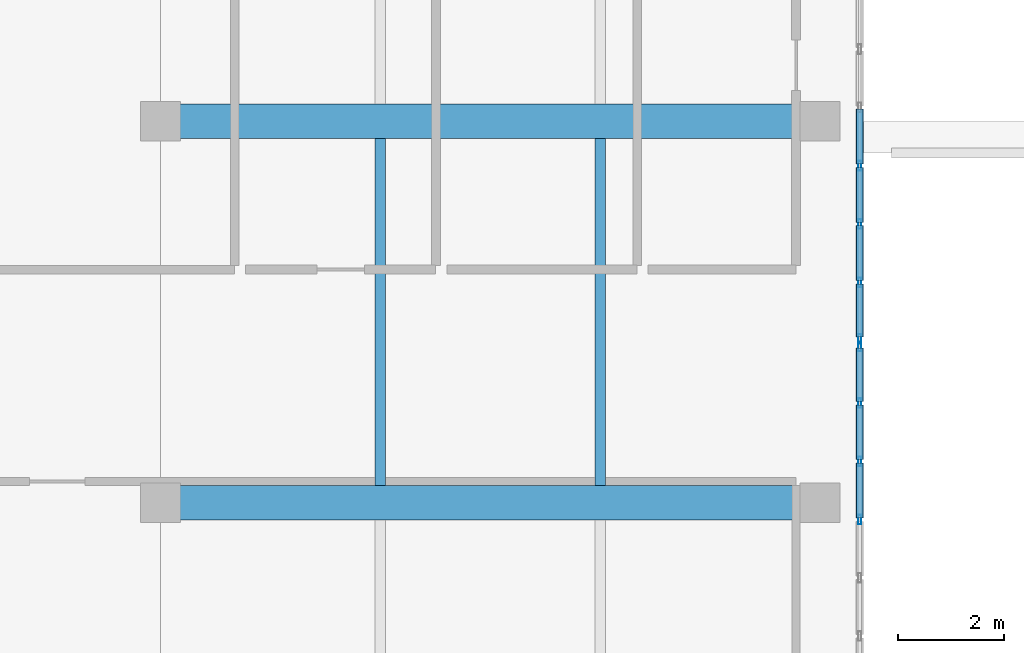
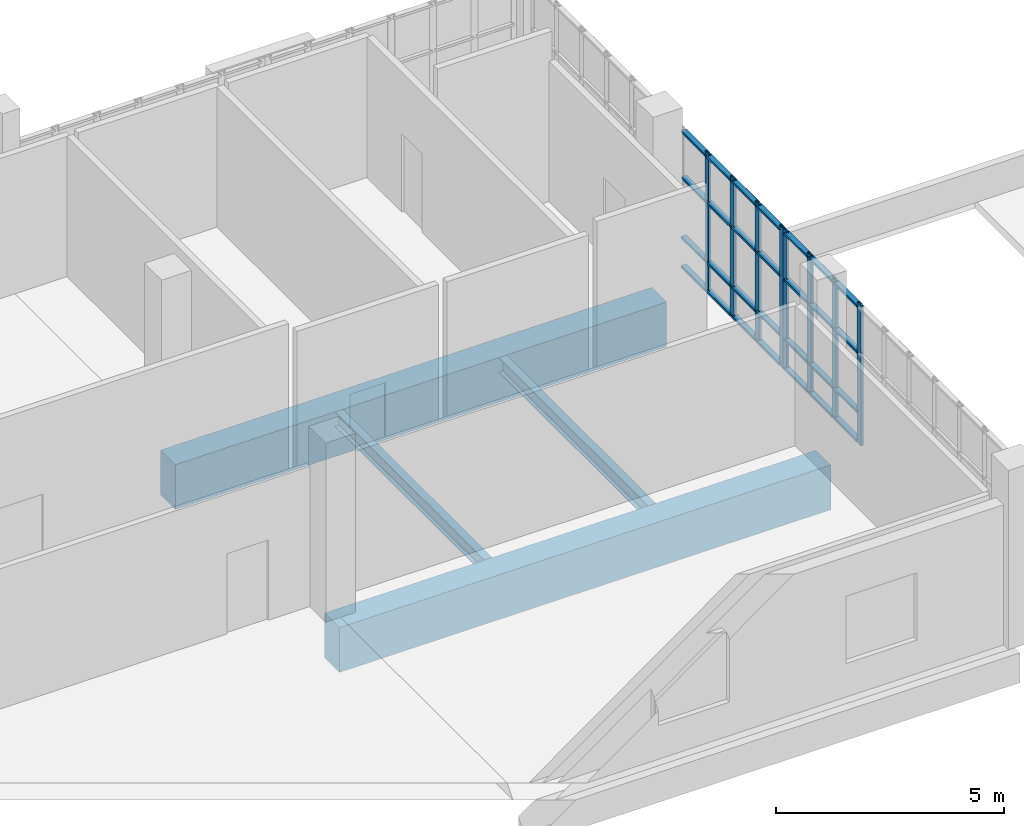
# One storey, part 59 of 106: 36 members, 4 beams, 2 elements without a shape of their own.
"""IFC4 building model written with IfcOpenShell, lengths in metres."""

from ifc_helpers import new_model, si_unit, direction, frame, origin, origin_2d, place, context, subcontext, project, spatial, rectangle, hollow_rectangle, i_section, extrude, material, layer, layer_set, material_profile, profile_set, type_object, element, aggregate, save


model = new_model("IFC4")

# Units and contexts
model_context = context("Model", 3, precision=1e-05, world=origin(), true_north=direction((0.0, 1.0)))
body_context = subcontext(model_context, "Body", "Model", "MODEL_VIEW")
ifc_project = project(units=[si_unit("LENGTHUNIT", "METRE"), si_unit("AREAUNIT", "SQUARE_METRE"), si_unit("VOLUMEUNIT", "CUBIC_METRE"), si_unit("PLANEANGLEUNIT", "RADIAN"), si_unit("MASSUNIT", "GRAM", prefix="KILO")], contexts=[model_context])

# Site, building, storey
site_placement = place(None, origin())
site = spatial("IfcSite", under=ifc_project, at=site_placement, CompositionType="ELEMENT")
building_placement = place(site_placement, origin())
building = spatial("IfcBuilding", under=site, at=building_placement, Name="Kisaragi Civic Commons", CompositionType="ELEMENT")
storey_placement = place(building_placement, frame((0.0, 0.0, 4.800048828125)))
storey = spatial("IfcBuildingStorey", under=building, at=storey_placement, Name="L01", CompositionType="ELEMENT", Elevation=4.800048828125)

# Curtain wall, members
ifc_material_1 = material(Name="Thermally broken anodized aluminium and low-E double glazing", Category="aluminium")
ifc_layer = layer(ifc_material_1, 0.179931640625, Name="Thermally broken anodized aluminium and low-E double glazing", Category="aluminium")
ifc_layer_set = layer_set([ifc_layer], Name="Thermally broken anodized aluminium and low-E double glazing")
curtain_wall_type = type_object("IfcCurtainWallType", Name="CW-01", PredefinedType="NOTDEFINED", material=ifc_layer_set)
curtain_wall_1_placement = place(storey_placement, origin())
curtain_wall_1 = element("IfcCurtainWall", 1, at=curtain_wall_1_placement, inside=storey, type_object=curtain_wall_type, Name="L01 curtain wall CW-01 CW-V4-L01-071", PredefinedType="NOTDEFINED")
ifc_material_profile_1 = material_profile(ifc_material_1, hollow_rectangle(XDim=0.06494140625, YDim=0.179931640625, WallThickness=0.00439453125, InnerFilletRadius=0.00439453125, OuterFilletRadius=0.009033203125, at=origin_2d()), Name="CWM-65x180x4.5", Category="aluminium")
ifc_profile_set_1 = profile_set([ifc_material_profile_1], Name="Thermally broken anodized aluminium and low-E double glazing")
member_type_1 = type_object("IfcMemberType", Name="CWM-02", PredefinedType="MULLION", material=ifc_profile_set_1)
member_1_placement = place(storey_placement, frame((159.60009765625, 110.760009765625, 0.0), z_axis=(0.0, 0.0, 1.0), x_axis=(1.0, 0.0, 0.0)))
member_1 = element("IfcMember", 2, at=member_1_placement, type_object=member_type_1, Name="CW-01 mullion 8", PredefinedType="MULLION", context=body_context, shape_type="SweptSolid", body=[
    extrude(hollow_rectangle(XDim=0.06494140625, YDim=0.179931640625, WallThickness=0.00439453125, InnerFilletRadius=0.00439453125, OuterFilletRadius=0.009033203125, at=origin_2d()), origin(), (0.0, 0.0, 1.0), 3.7548828125),
])
member_2_placement = place(storey_placement, frame((159.60009765625, 109.659912109375, 0.0), z_axis=(0.0, 0.0, 1.0), x_axis=(1.0, 0.0, 0.0)))
member_2 = element("IfcMember", 3, at=member_2_placement, type_object=member_type_1, Name="CW-01 mullion 9", PredefinedType="MULLION", context=body_context, shape_type="SweptSolid", body=[
    extrude(hollow_rectangle(XDim=0.06494140625, YDim=0.179931640625, WallThickness=0.00439453125, InnerFilletRadius=0.00439453125, OuterFilletRadius=0.009033203125, at=origin_2d()), origin(), (0.0, 0.0, 1.0), 3.7548828125),
])
member_3_placement = place(storey_placement, frame((159.60009765625, 108.56005859375, 0.0), z_axis=(0.0, 0.0, 1.0), x_axis=(1.0, 0.0, 0.0)))
member_3 = element("IfcMember", 4, at=member_3_placement, type_object=member_type_1, Name="CW-01 mullion 10", PredefinedType="MULLION", context=body_context, shape_type="SweptSolid", body=[
    extrude(hollow_rectangle(XDim=0.06494140625, YDim=0.179931640625, WallThickness=0.00439453125, InnerFilletRadius=0.00439453125, OuterFilletRadius=0.009033203125, at=origin_2d()), origin(), (0.0, 0.0, 1.0), 3.7548828125),
])
member_4_placement = place(storey_placement, frame((159.60009765625, 107.492431640625, 0.0), z_axis=(0.0, 0.0, 1.0), x_axis=(1.0, 0.0, 0.0)))
member_4 = element("IfcMember", 5, at=member_4_placement, type_object=member_type_1, Name="CW-01 mullion 11", PredefinedType="MULLION", context=body_context, shape_type="SweptSolid", body=[
    extrude(hollow_rectangle(XDim=0.06494140625, YDim=0.179931640625, WallThickness=0.00439453125, InnerFilletRadius=0.00439453125, OuterFilletRadius=0.009033203125, at=origin_2d()), origin(), (0.0, 0.0, 1.0), 3.7548828125),
])

curtain_wall_2_placement = place(storey_placement, origin())
curtain_wall_2 = element("IfcCurtainWall", 6, at=curtain_wall_2_placement, inside=storey, type_object=curtain_wall_type, Name="L01 curtain wall CW-01 CW-V4-L01-072", PredefinedType="NOTDEFINED")
member_5_placement = place(storey_placement, frame((159.60009765625, 107.347412109375, 0.0), z_axis=(0.0, 0.0, 1.0), x_axis=(1.0, 0.0, 0.0)))
member_5 = element("IfcMember", 7, at=member_5_placement, type_object=member_type_1, Name="CW-01 mullion 1", PredefinedType="MULLION", context=body_context, shape_type="SweptSolid", body=[
    extrude(hollow_rectangle(XDim=0.06494140625, YDim=0.179931640625, WallThickness=0.00439453125, InnerFilletRadius=0.00439453125, OuterFilletRadius=0.009033203125, at=origin_2d()), origin(), (0.0, 0.0, 1.0), 3.7548828125),
])
member_6_placement = place(storey_placement, frame((159.60009765625, 106.280029296875, 0.0), z_axis=(0.0, 0.0, 1.0), x_axis=(1.0, 0.0, 0.0)))
member_6 = element("IfcMember", 8, at=member_6_placement, type_object=member_type_1, Name="CW-01 mullion 2", PredefinedType="MULLION", context=body_context, shape_type="SweptSolid", body=[
    extrude(hollow_rectangle(XDim=0.06494140625, YDim=0.179931640625, WallThickness=0.00439453125, InnerFilletRadius=0.00439453125, OuterFilletRadius=0.009033203125, at=origin_2d()), origin(), (0.0, 0.0, 1.0), 3.7548828125),
])
member_7_placement = place(storey_placement, frame((159.60009765625, 105.179931640625, 0.0), z_axis=(0.0, 0.0, 1.0), x_axis=(1.0, 0.0, 0.0)))
member_7 = element("IfcMember", 9, at=member_7_placement, type_object=member_type_1, Name="CW-01 mullion 3", PredefinedType="MULLION", context=body_context, shape_type="SweptSolid", body=[
    extrude(hollow_rectangle(XDim=0.06494140625, YDim=0.179931640625, WallThickness=0.00439453125, InnerFilletRadius=0.00439453125, OuterFilletRadius=0.009033203125, at=origin_2d()), origin(), (0.0, 0.0, 1.0), 3.7548828125),
])
member_8_placement = place(storey_placement, frame((159.60009765625, 104.080078125, 0.0), z_axis=(0.0, 0.0, 1.0), x_axis=(1.0, 0.0, 0.0)))
member_8 = element("IfcMember", 10, at=member_8_placement, type_object=member_type_1, Name="CW-01 mullion 4", PredefinedType="MULLION", context=body_context, shape_type="SweptSolid", body=[
    extrude(hollow_rectangle(XDim=0.06494140625, YDim=0.179931640625, WallThickness=0.00439453125, InnerFilletRadius=0.00439453125, OuterFilletRadius=0.009033203125, at=origin_2d()), origin(), (0.0, 0.0, 1.0), 3.7548828125),
])

# Member
ifc_material_profile_2 = material_profile(ifc_material_1, hollow_rectangle(XDim=0.139892578125, YDim=0.06494140625, WallThickness=0.00439453125, InnerFilletRadius=0.00439453125, OuterFilletRadius=0.009033203125, at=origin_2d()), Name="CWT-65x140x4.5", Category="aluminium")
ifc_profile_set_2 = profile_set([ifc_material_profile_2], Name="Thermally broken anodized aluminium and low-E double glazing")
member_type_2 = type_object("IfcMemberType", Name="CWT-02", PredefinedType="USERDEFINED", material=ifc_profile_set_2)
member_9_placement = place(storey_placement, frame((159.60009765625, 111.827392578125, 0.070068359375), z_axis=(0.0, -1.0, 0.0), x_axis=(1.0, 0.0, 0.0)))
member_9 = element("IfcMember", 11, at=member_9_placement, type_object=member_type_2, Name="CW-01 transom 7.1", ObjectType="TRANSOM", PredefinedType="USERDEFINED", context=body_context, shape_type="SweptSolid", body=[
    extrude(hollow_rectangle(XDim=0.139892578125, YDim=0.06494140625, WallThickness=0.00439453125, InnerFilletRadius=0.00439453125, OuterFilletRadius=0.009033203125, at=origin_2d()), origin(), (0.0, 0.0, 1.0), 1.034912109375),
])

member_10_placement = place(storey_placement, frame((159.60009765625, 111.827392578125, 0.849853515625), z_axis=(0.0, -1.0, 0.0), x_axis=(1.0, 0.0, 0.0)))
member_10 = element("IfcMember", 12, at=member_10_placement, type_object=member_type_2, Name="CW-01 transom 7.2", ObjectType="TRANSOM", PredefinedType="USERDEFINED", context=body_context, shape_type="SweptSolid", body=[
    extrude(hollow_rectangle(XDim=0.139892578125, YDim=0.06494140625, WallThickness=0.00439453125, InnerFilletRadius=0.00439453125, OuterFilletRadius=0.009033203125, at=origin_2d()), origin(), (0.0, 0.0, 1.0), 1.034912109375),
])

member_11_placement = place(storey_placement, frame((159.60009765625, 111.827392578125, 2.449951171875), z_axis=(0.0, -1.0, 0.0), x_axis=(1.0, 0.0, 0.0)))
member_11 = element("IfcMember", 13, at=member_11_placement, type_object=member_type_2, Name="CW-01 transom 7.3", ObjectType="TRANSOM", PredefinedType="USERDEFINED", context=body_context, shape_type="SweptSolid", body=[
    extrude(hollow_rectangle(XDim=0.139892578125, YDim=0.06494140625, WallThickness=0.00439453125, InnerFilletRadius=0.00439453125, OuterFilletRadius=0.009033203125, at=origin_2d()), origin(), (0.0, 0.0, 1.0), 1.034912109375),
])

member_12_placement = place(storey_placement, frame((159.60009765625, 111.827392578125, 3.68505859375), z_axis=(0.0, -1.0, 0.0), x_axis=(1.0, 0.0, 0.0)))
member_12 = element("IfcMember", 14, at=member_12_placement, type_object=member_type_2, Name="CW-01 transom 7.4", ObjectType="TRANSOM", PredefinedType="USERDEFINED", context=body_context, shape_type="SweptSolid", body=[
    extrude(hollow_rectangle(XDim=0.139892578125, YDim=0.06494140625, WallThickness=0.00439453125, InnerFilletRadius=0.00439453125, OuterFilletRadius=0.009033203125, at=origin_2d()), origin(), (0.0, 0.0, 1.0), 1.034912109375),
])

member_13_placement = place(storey_placement, frame((159.60009765625, 110.7275390625, 0.070068359375), z_axis=(0.0, -1.0, 0.0), x_axis=(1.0, 0.0, 0.0)))
member_13 = element("IfcMember", 15, at=member_13_placement, type_object=member_type_2, Name="CW-01 transom 8.1", ObjectType="TRANSOM", PredefinedType="USERDEFINED", context=body_context, shape_type="SweptSolid", body=[
    extrude(hollow_rectangle(XDim=0.139892578125, YDim=0.06494140625, WallThickness=0.00439453125, InnerFilletRadius=0.00439453125, OuterFilletRadius=0.009033203125, at=origin_2d()), origin(), (0.0, 0.0, 1.0), 1.03515625),
])

member_14_placement = place(storey_placement, frame((159.60009765625, 110.7275390625, 0.849853515625), z_axis=(0.0, -1.0, 0.0), x_axis=(1.0, 0.0, 0.0)))
member_14 = element("IfcMember", 16, at=member_14_placement, type_object=member_type_2, Name="CW-01 transom 8.2", ObjectType="TRANSOM", PredefinedType="USERDEFINED", context=body_context, shape_type="SweptSolid", body=[
    extrude(hollow_rectangle(XDim=0.139892578125, YDim=0.06494140625, WallThickness=0.00439453125, InnerFilletRadius=0.00439453125, OuterFilletRadius=0.009033203125, at=origin_2d()), origin(), (0.0, 0.0, 1.0), 1.03515625),
])

member_15_placement = place(storey_placement, frame((159.60009765625, 110.7275390625, 2.449951171875), z_axis=(0.0, -1.0, 0.0), x_axis=(1.0, 0.0, 0.0)))
member_15 = element("IfcMember", 17, at=member_15_placement, type_object=member_type_2, Name="CW-01 transom 8.3", ObjectType="TRANSOM", PredefinedType="USERDEFINED", context=body_context, shape_type="SweptSolid", body=[
    extrude(hollow_rectangle(XDim=0.139892578125, YDim=0.06494140625, WallThickness=0.00439453125, InnerFilletRadius=0.00439453125, OuterFilletRadius=0.009033203125, at=origin_2d()), origin(), (0.0, 0.0, 1.0), 1.03515625),
])

member_16_placement = place(storey_placement, frame((159.60009765625, 110.7275390625, 3.68505859375), z_axis=(0.0, -1.0, 0.0), x_axis=(1.0, 0.0, 0.0)))
member_16 = element("IfcMember", 18, at=member_16_placement, type_object=member_type_2, Name="CW-01 transom 8.4", ObjectType="TRANSOM", PredefinedType="USERDEFINED", context=body_context, shape_type="SweptSolid", body=[
    extrude(hollow_rectangle(XDim=0.139892578125, YDim=0.06494140625, WallThickness=0.00439453125, InnerFilletRadius=0.00439453125, OuterFilletRadius=0.009033203125, at=origin_2d()), origin(), (0.0, 0.0, 1.0), 1.03515625),
])

member_17_placement = place(storey_placement, frame((159.60009765625, 109.62744140625, 0.070068359375), z_axis=(0.0, -1.0, 0.0), x_axis=(1.0, 0.0, 0.0)))
member_17 = element("IfcMember", 19, at=member_17_placement, type_object=member_type_2, Name="CW-01 transom 9.1", ObjectType="TRANSOM", PredefinedType="USERDEFINED", context=body_context, shape_type="SweptSolid", body=[
    extrude(hollow_rectangle(XDim=0.139892578125, YDim=0.06494140625, WallThickness=0.00439453125, InnerFilletRadius=0.00439453125, OuterFilletRadius=0.009033203125, at=origin_2d()), origin(), (0.0, 0.0, 1.0), 1.034912109375),
])

member_18_placement = place(storey_placement, frame((159.60009765625, 109.62744140625, 0.849853515625), z_axis=(0.0, -1.0, 0.0), x_axis=(1.0, 0.0, 0.0)))
member_18 = element("IfcMember", 20, at=member_18_placement, type_object=member_type_2, Name="CW-01 transom 9.2", ObjectType="TRANSOM", PredefinedType="USERDEFINED", context=body_context, shape_type="SweptSolid", body=[
    extrude(hollow_rectangle(XDim=0.139892578125, YDim=0.06494140625, WallThickness=0.00439453125, InnerFilletRadius=0.00439453125, OuterFilletRadius=0.009033203125, at=origin_2d()), origin(), (0.0, 0.0, 1.0), 1.034912109375),
])

member_19_placement = place(storey_placement, frame((159.60009765625, 109.62744140625, 2.449951171875), z_axis=(0.0, -1.0, 0.0), x_axis=(1.0, 0.0, 0.0)))
member_19 = element("IfcMember", 21, at=member_19_placement, type_object=member_type_2, Name="CW-01 transom 9.3", ObjectType="TRANSOM", PredefinedType="USERDEFINED", context=body_context, shape_type="SweptSolid", body=[
    extrude(hollow_rectangle(XDim=0.139892578125, YDim=0.06494140625, WallThickness=0.00439453125, InnerFilletRadius=0.00439453125, OuterFilletRadius=0.009033203125, at=origin_2d()), origin(), (0.0, 0.0, 1.0), 1.034912109375),
])

member_20_placement = place(storey_placement, frame((159.60009765625, 109.62744140625, 3.68505859375), z_axis=(0.0, -1.0, 0.0), x_axis=(1.0, 0.0, 0.0)))
member_20 = element("IfcMember", 22, at=member_20_placement, type_object=member_type_2, Name="CW-01 transom 9.4", ObjectType="TRANSOM", PredefinedType="USERDEFINED", context=body_context, shape_type="SweptSolid", body=[
    extrude(hollow_rectangle(XDim=0.139892578125, YDim=0.06494140625, WallThickness=0.00439453125, InnerFilletRadius=0.00439453125, OuterFilletRadius=0.009033203125, at=origin_2d()), origin(), (0.0, 0.0, 1.0), 1.034912109375),
])

member_21_placement = place(storey_placement, frame((159.60009765625, 108.527587890625, 0.070068359375), z_axis=(0.0, -1.0, 0.0), x_axis=(1.0, 0.0, 0.0)))
member_21 = element("IfcMember", 23, at=member_21_placement, type_object=member_type_2, Name="CW-01 transom 10.1", ObjectType="TRANSOM", PredefinedType="USERDEFINED", context=body_context, shape_type="SweptSolid", body=[
    extrude(hollow_rectangle(XDim=0.139892578125, YDim=0.06494140625, WallThickness=0.00439453125, InnerFilletRadius=0.00439453125, OuterFilletRadius=0.009033203125, at=origin_2d()), origin(), (0.0, 0.0, 1.0), 1.002685546875),
])

member_22_placement = place(storey_placement, frame((159.60009765625, 108.527587890625, 0.849853515625), z_axis=(0.0, -1.0, 0.0), x_axis=(1.0, 0.0, 0.0)))
member_22 = element("IfcMember", 24, at=member_22_placement, type_object=member_type_2, Name="CW-01 transom 10.2", ObjectType="TRANSOM", PredefinedType="USERDEFINED", context=body_context, shape_type="SweptSolid", body=[
    extrude(hollow_rectangle(XDim=0.139892578125, YDim=0.06494140625, WallThickness=0.00439453125, InnerFilletRadius=0.00439453125, OuterFilletRadius=0.009033203125, at=origin_2d()), origin(), (0.0, 0.0, 1.0), 1.002685546875),
])

member_23_placement = place(storey_placement, frame((159.60009765625, 108.527587890625, 2.449951171875), z_axis=(0.0, -1.0, 0.0), x_axis=(1.0, 0.0, 0.0)))
member_23 = element("IfcMember", 25, at=member_23_placement, type_object=member_type_2, Name="CW-01 transom 10.3", ObjectType="TRANSOM", PredefinedType="USERDEFINED", context=body_context, shape_type="SweptSolid", body=[
    extrude(hollow_rectangle(XDim=0.139892578125, YDim=0.06494140625, WallThickness=0.00439453125, InnerFilletRadius=0.00439453125, OuterFilletRadius=0.009033203125, at=origin_2d()), origin(), (0.0, 0.0, 1.0), 1.002685546875),
])

member_24_placement = place(storey_placement, frame((159.60009765625, 108.527587890625, 3.68505859375), z_axis=(0.0, -1.0, 0.0), x_axis=(1.0, 0.0, 0.0)))
member_24 = element("IfcMember", 26, at=member_24_placement, type_object=member_type_2, Name="CW-01 transom 10.4", ObjectType="TRANSOM", PredefinedType="USERDEFINED", context=body_context, shape_type="SweptSolid", body=[
    extrude(hollow_rectangle(XDim=0.139892578125, YDim=0.06494140625, WallThickness=0.00439453125, InnerFilletRadius=0.00439453125, OuterFilletRadius=0.009033203125, at=origin_2d()), origin(), (0.0, 0.0, 1.0), 1.002685546875),
])

aggregate(curtain_wall_1, [member_1, member_2, member_3, member_4, member_9, member_10, member_11, member_12, member_13, member_14, member_15, member_16, member_17, member_18, member_19, member_20, member_21, member_22, member_23, member_24])

member_25_placement = place(storey_placement, frame((159.60009765625, 107.31494140625, 0.070068359375), z_axis=(0.0, -1.0, 0.0), x_axis=(1.0, 0.0, 0.0)))
member_25 = element("IfcMember", 27, at=member_25_placement, type_object=member_type_2, Name="CW-01 transom 1.1", ObjectType="TRANSOM", PredefinedType="USERDEFINED", context=body_context, shape_type="SweptSolid", body=[
    extrude(hollow_rectangle(XDim=0.139892578125, YDim=0.06494140625, WallThickness=0.00439453125, InnerFilletRadius=0.00439453125, OuterFilletRadius=0.009033203125, at=origin_2d()), origin(), (0.0, 0.0, 1.0), 1.00244140625),
])

member_26_placement = place(storey_placement, frame((159.60009765625, 107.31494140625, 0.849853515625), z_axis=(0.0, -1.0, 0.0), x_axis=(1.0, 0.0, 0.0)))
member_26 = element("IfcMember", 28, at=member_26_placement, type_object=member_type_2, Name="CW-01 transom 1.2", ObjectType="TRANSOM", PredefinedType="USERDEFINED", context=body_context, shape_type="SweptSolid", body=[
    extrude(hollow_rectangle(XDim=0.139892578125, YDim=0.06494140625, WallThickness=0.00439453125, InnerFilletRadius=0.00439453125, OuterFilletRadius=0.009033203125, at=origin_2d()), origin(), (0.0, 0.0, 1.0), 1.00244140625),
])

member_27_placement = place(storey_placement, frame((159.60009765625, 107.31494140625, 2.449951171875), z_axis=(0.0, -1.0, 0.0), x_axis=(1.0, 0.0, 0.0)))
member_27 = element("IfcMember", 29, at=member_27_placement, type_object=member_type_2, Name="CW-01 transom 1.3", ObjectType="TRANSOM", PredefinedType="USERDEFINED", context=body_context, shape_type="SweptSolid", body=[
    extrude(hollow_rectangle(XDim=0.139892578125, YDim=0.06494140625, WallThickness=0.00439453125, InnerFilletRadius=0.00439453125, OuterFilletRadius=0.009033203125, at=origin_2d()), origin(), (0.0, 0.0, 1.0), 1.00244140625),
])

member_28_placement = place(storey_placement, frame((159.60009765625, 107.31494140625, 3.68505859375), z_axis=(0.0, -1.0, 0.0), x_axis=(1.0, 0.0, 0.0)))
member_28 = element("IfcMember", 30, at=member_28_placement, type_object=member_type_2, Name="CW-01 transom 1.4", ObjectType="TRANSOM", PredefinedType="USERDEFINED", context=body_context, shape_type="SweptSolid", body=[
    extrude(hollow_rectangle(XDim=0.139892578125, YDim=0.06494140625, WallThickness=0.00439453125, InnerFilletRadius=0.00439453125, OuterFilletRadius=0.009033203125, at=origin_2d()), origin(), (0.0, 0.0, 1.0), 1.00244140625),
])

member_29_placement = place(storey_placement, frame((159.60009765625, 106.24755859375, 0.070068359375), z_axis=(0.0, -1.0, 0.0), x_axis=(1.0, 0.0, 0.0)))
member_29 = element("IfcMember", 31, at=member_29_placement, type_object=member_type_2, Name="CW-01 transom 2.1", ObjectType="TRANSOM", PredefinedType="USERDEFINED", context=body_context, shape_type="SweptSolid", body=[
    extrude(hollow_rectangle(XDim=0.139892578125, YDim=0.06494140625, WallThickness=0.00439453125, InnerFilletRadius=0.00439453125, OuterFilletRadius=0.009033203125, at=origin_2d()), origin(), (0.0, 0.0, 1.0), 1.03515625),
])

member_30_placement = place(storey_placement, frame((159.60009765625, 106.24755859375, 0.849853515625), z_axis=(0.0, -1.0, 0.0), x_axis=(1.0, 0.0, 0.0)))
member_30 = element("IfcMember", 32, at=member_30_placement, type_object=member_type_2, Name="CW-01 transom 2.2", ObjectType="TRANSOM", PredefinedType="USERDEFINED", context=body_context, shape_type="SweptSolid", body=[
    extrude(hollow_rectangle(XDim=0.139892578125, YDim=0.06494140625, WallThickness=0.00439453125, InnerFilletRadius=0.00439453125, OuterFilletRadius=0.009033203125, at=origin_2d()), origin(), (0.0, 0.0, 1.0), 1.03515625),
])

member_31_placement = place(storey_placement, frame((159.60009765625, 106.24755859375, 2.449951171875), z_axis=(0.0, -1.0, 0.0), x_axis=(1.0, 0.0, 0.0)))
member_31 = element("IfcMember", 33, at=member_31_placement, type_object=member_type_2, Name="CW-01 transom 2.3", ObjectType="TRANSOM", PredefinedType="USERDEFINED", context=body_context, shape_type="SweptSolid", body=[
    extrude(hollow_rectangle(XDim=0.139892578125, YDim=0.06494140625, WallThickness=0.00439453125, InnerFilletRadius=0.00439453125, OuterFilletRadius=0.009033203125, at=origin_2d()), origin(), (0.0, 0.0, 1.0), 1.03515625),
])

member_32_placement = place(storey_placement, frame((159.60009765625, 106.24755859375, 3.68505859375), z_axis=(0.0, -1.0, 0.0), x_axis=(1.0, 0.0, 0.0)))
member_32 = element("IfcMember", 34, at=member_32_placement, type_object=member_type_2, Name="CW-01 transom 2.4", ObjectType="TRANSOM", PredefinedType="USERDEFINED", context=body_context, shape_type="SweptSolid", body=[
    extrude(hollow_rectangle(XDim=0.139892578125, YDim=0.06494140625, WallThickness=0.00439453125, InnerFilletRadius=0.00439453125, OuterFilletRadius=0.009033203125, at=origin_2d()), origin(), (0.0, 0.0, 1.0), 1.03515625),
])

member_33_placement = place(storey_placement, frame((159.60009765625, 105.1474609375, 0.070068359375), z_axis=(0.0, -1.0, 0.0), x_axis=(1.0, 0.0, 0.0)))
member_33 = element("IfcMember", 35, at=member_33_placement, type_object=member_type_2, Name="CW-01 transom 3.1", ObjectType="TRANSOM", PredefinedType="USERDEFINED", context=body_context, shape_type="SweptSolid", body=[
    extrude(hollow_rectangle(XDim=0.139892578125, YDim=0.06494140625, WallThickness=0.00439453125, InnerFilletRadius=0.00439453125, OuterFilletRadius=0.009033203125, at=origin_2d()), origin(), (0.0, 0.0, 1.0), 1.034912109375),
])

member_34_placement = place(storey_placement, frame((159.60009765625, 105.1474609375, 0.849853515625), z_axis=(0.0, -1.0, 0.0), x_axis=(1.0, 0.0, 0.0)))
member_34 = element("IfcMember", 36, at=member_34_placement, type_object=member_type_2, Name="CW-01 transom 3.2", ObjectType="TRANSOM", PredefinedType="USERDEFINED", context=body_context, shape_type="SweptSolid", body=[
    extrude(hollow_rectangle(XDim=0.139892578125, YDim=0.06494140625, WallThickness=0.00439453125, InnerFilletRadius=0.00439453125, OuterFilletRadius=0.009033203125, at=origin_2d()), origin(), (0.0, 0.0, 1.0), 1.034912109375),
])

member_35_placement = place(storey_placement, frame((159.60009765625, 105.1474609375, 2.449951171875), z_axis=(0.0, -1.0, 0.0), x_axis=(1.0, 0.0, 0.0)))
member_35 = element("IfcMember", 37, at=member_35_placement, type_object=member_type_2, Name="CW-01 transom 3.3", ObjectType="TRANSOM", PredefinedType="USERDEFINED", context=body_context, shape_type="SweptSolid", body=[
    extrude(hollow_rectangle(XDim=0.139892578125, YDim=0.06494140625, WallThickness=0.00439453125, InnerFilletRadius=0.00439453125, OuterFilletRadius=0.009033203125, at=origin_2d()), origin(), (0.0, 0.0, 1.0), 1.034912109375),
])

member_36_placement = place(storey_placement, frame((159.60009765625, 105.1474609375, 3.68505859375), z_axis=(0.0, -1.0, 0.0), x_axis=(1.0, 0.0, 0.0)))
member_36 = element("IfcMember", 38, at=member_36_placement, type_object=member_type_2, Name="CW-01 transom 3.4", ObjectType="TRANSOM", PredefinedType="USERDEFINED", context=body_context, shape_type="SweptSolid", body=[
    extrude(hollow_rectangle(XDim=0.139892578125, YDim=0.06494140625, WallThickness=0.00439453125, InnerFilletRadius=0.00439453125, OuterFilletRadius=0.009033203125, at=origin_2d()), origin(), (0.0, 0.0, 1.0), 1.034912109375),
])

aggregate(curtain_wall_2, [member_5, member_6, member_7, member_8, member_25, member_26, member_27, member_28, member_29, member_30, member_31, member_32, member_33, member_34, member_35, member_36])

# Beams
ifc_material_2 = material(Name="Concrete Fc36", Category="concrete")
ifc_material_profile_3 = material_profile(ifc_material_2, rectangle(XDim=0.64990234375, YDim=1.199951171875, at=origin_2d()), Name="RC-650x1200", Category="concrete")
ifc_profile_set_3 = profile_set([ifc_material_profile_3], Name="Concrete Fc36")
beam_type_1 = type_object("IfcBeamType", Name="G-07", PredefinedType="BEAM", material=ifc_profile_set_3)
for number, where, z_axis, x_axis, name in (
    (39, (146.39990234375, 104.39990234375, -0.905029296875), (1.0, 0.0, 0.0), (0.0, 1.0, 0.0), "L01 girder G-07 230"),
    (40, (146.39990234375, 111.60009765625, -0.905029296875), (1.0, 0.0, 0.0), (0.0, 1.0, 0.0), "L01 girder G-07 235"),
):
    element("IfcBeam", number, at=place(storey_placement, frame(where, z_axis=z_axis, x_axis=x_axis)), inside=storey, type_object=beam_type_1, Name=name, PredefinedType="BEAM", context=body_context, shape_type="SweptSolid", body=[
        extrude(rectangle(XDim=0.64990234375, YDim=1.199951171875, at=origin_2d()), origin(), (0.0, 0.0, 1.0), 12.4501953125),
    ])
ifc_material_3 = material(Name="Steel SN400 (SN400B)", Category="steel")
ifc_material_profile_4 = material_profile(ifc_material_3, i_section(OverallWidth=0.199951171875, OverallDepth=0.39990234375, WebThickness=0.008056640625, FlangeThickness=0.012939453125, FilletRadius=0.012939453125, at=origin_2d()), Name="H-400x200x8x13", Category="steel")
ifc_profile_set_4 = profile_set([ifc_material_profile_4], Name="Steel SN400 (SN400B)")
beam_type_2 = type_object("IfcBeamType", Name="J-01", PredefinedType="JOIST", material=ifc_profile_set_4)
for number, where, z_axis, x_axis, name in (
    (41, (150.550048828125, 104.72509765625, -0.505126953125), (0.0, 1.0, 0.0), (-1.0, 0.0, 0.0), "L01 secondary steel joist J-01 54"),
    (42, (154.699951171875, 104.72509765625, -0.505126953125), (0.0, 1.0, 0.0), (-1.0, 0.0, 0.0), "L01 secondary steel joist J-01 55"),
):
    element("IfcBeam", number, at=place(storey_placement, frame(where, z_axis=z_axis, x_axis=x_axis)), inside=storey, type_object=beam_type_2, Name=name, PredefinedType="JOIST", context=body_context, shape_type="SweptSolid", body=[
        extrude(i_section(OverallWidth=0.199951171875, OverallDepth=0.39990234375, WebThickness=0.008056640625, FlangeThickness=0.012939453125, FilletRadius=0.012939453125, at=origin_2d()), origin(), (0.0, 0.0, 1.0), 6.5498046875),
    ])

save(model, "model.ifc")
